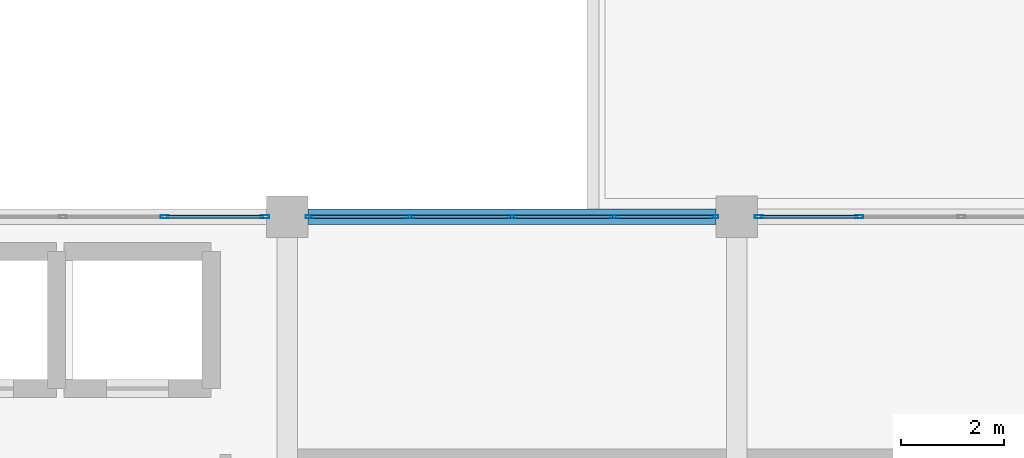
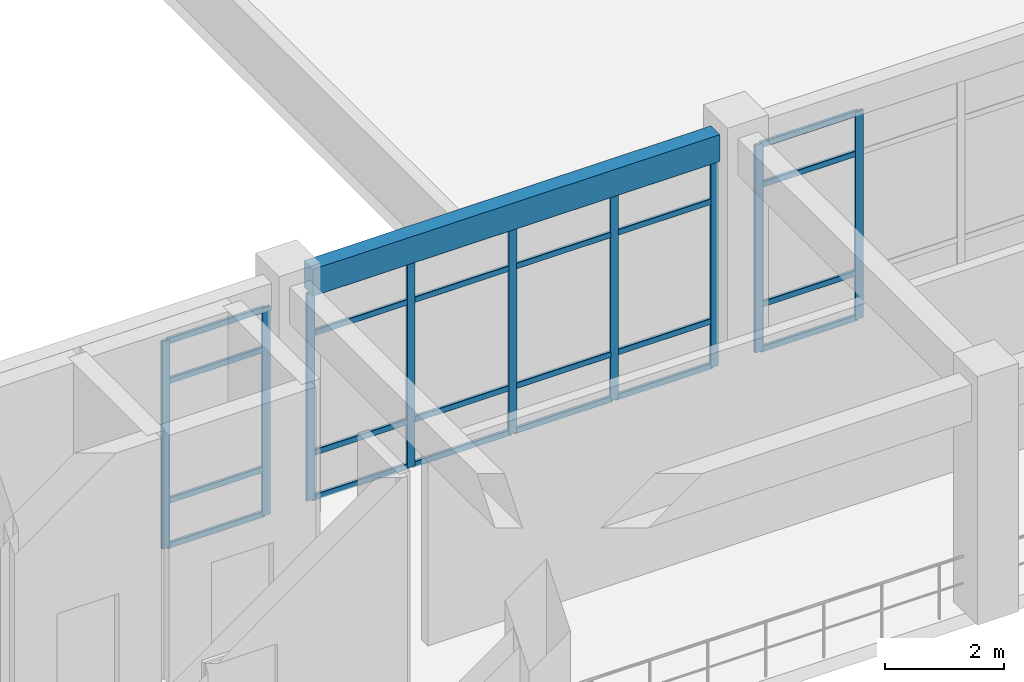
# One storey, part 49 of 124: 33 members, 1 beam, 3 elements without a shape of their own.
"""IFC4 building model written with IfcOpenShell, lengths in metres."""

from ifc_helpers import new_model, si_unit, derived_unit, direction, frame, origin, origin_2d, place, context, subcontext, project, spatial, rectangle, hollow_rectangle, extrude, material, layer, layer_set, material_profile, profile_set, type_object, element, aggregate, save


model = new_model("IFC4")

# Units and contexts
model_context = context("Model", 3, precision=1e-05, world=origin(), true_north=direction((0.0, 1.0)))
body_context = subcontext(model_context, "Body", "Model", "MODEL_VIEW")
ifc_project = project(units=[si_unit("LENGTHUNIT", "METRE"), si_unit("AREAUNIT", "SQUARE_METRE"), si_unit("VOLUMEUNIT", "CUBIC_METRE"), si_unit("PLANEANGLEUNIT", "RADIAN"), si_unit("MASSUNIT", "GRAM", prefix="KILO"), derived_unit("THERMALTRANSMITTANCEUNIT", [(si_unit("MASSUNIT", "GRAM", prefix="KILO"), 1), (si_unit("TIMEUNIT", "SECOND"), -3), (si_unit("THERMODYNAMICTEMPERATUREUNIT", "KELVIN"), -1)])], contexts=[model_context])

# Site, building, storey
site_placement = place(None, origin())
site = spatial("IfcSite", under=ifc_project, at=site_placement, CompositionType="ELEMENT")
building_placement = place(site_placement, origin())
building = spatial("IfcBuilding", under=site, at=building_placement, Name="Qinzheling Arcade Emporium", CompositionType="ELEMENT")
storey_placement = place(building_placement, frame((0.0, 0.0, 16.5)))
storey = spatial("IfcBuildingStorey", under=building, at=storey_placement, Name="L04", CompositionType="ELEMENT", Elevation=16.5)

# Curtain wall, members
ifc_material_1 = material(Name="Anodised aluminium and solar-control double glazing", Category="aluminium")
ifc_layer = layer(ifc_material_1, 0.159912109375, Name="Anodised aluminium and solar-control double glazing", Category="aluminium")
ifc_layer_set = layer_set([ifc_layer], Name="Anodised aluminium and solar-control double glazing")
curtain_wall_type = type_object("IfcCurtainWallType", Name="Atrium Clerestory Curtain Wall", PredefinedType="NOTDEFINED", material=ifc_layer_set)
curtain_wall_1_placement = place(storey_placement, origin())
curtain_wall_1 = element("IfcCurtainWall", 1, at=curtain_wall_1_placement, inside=storey, type_object=curtain_wall_type, Name="Curtain Wall CW-L04-243", PredefinedType="NOTDEFINED")
ifc_material_2 = material(Name="Anodised aluminium 6063-T6", Category="aluminium")
ifc_material_profile_1 = material_profile(ifc_material_2, hollow_rectangle(XDim=0.06005859375, YDim=0.159912109375, WallThickness=0.00390625, InnerFilletRadius=0.00390625, OuterFilletRadius=0.008056640625, at=origin_2d()), Name="RHS 160x60x4", Category="aluminium")
ifc_profile_set_1 = profile_set([ifc_material_profile_1], Name="Anodised aluminium 6063-T6")
member_type_1 = type_object("IfcMemberType", Name="Curtain Wall Mullion RHS160x60", PredefinedType="MULLION", material=ifc_profile_set_1)
member_1_placement = place(storey_placement, frame((49.823974609375, 73.800048828125, 0.0), z_axis=(0.0, 0.0, 1.0), x_axis=(0.0, 1.0, 0.0)))
member_1 = element("IfcMember", 2, at=member_1_placement, type_object=member_type_1, Name="CW03 mullion 4", PredefinedType="MULLION", context=body_context, shape_type="SweptSolid", body=[
    extrude(hollow_rectangle(XDim=0.06005859375, YDim=0.159912109375, WallThickness=0.00390625, InnerFilletRadius=0.00390625, OuterFilletRadius=0.008056640625, at=origin_2d()), origin(), (0.0, 0.0, 1.0), 4.2548828125),
])
member_2_placement = place(storey_placement, frame((51.76806640625, 73.800048828125, 0.0), z_axis=(0.0, 0.0, 1.0), x_axis=(0.0, 1.0, 0.0)))
member_2 = element("IfcMember", 3, at=member_2_placement, type_object=member_type_1, Name="CW03 mullion 5", PredefinedType="MULLION", context=body_context, shape_type="SweptSolid", body=[
    extrude(hollow_rectangle(XDim=0.06005859375, YDim=0.159912109375, WallThickness=0.00390625, InnerFilletRadius=0.00390625, OuterFilletRadius=0.008056640625, at=origin_2d()), origin(), (0.0, 0.0, 1.0), 4.2548828125),
])

curtain_wall_2_placement = place(storey_placement, origin())
curtain_wall_2 = element("IfcCurtainWall", 4, at=curtain_wall_2_placement, inside=storey, type_object=curtain_wall_type, Name="Curtain Wall CW-L04-244", PredefinedType="NOTDEFINED")
member_3_placement = place(storey_placement, frame((52.632080078125, 73.800048828125, 0.0), z_axis=(0.0, 0.0, 1.0), x_axis=(0.0, 1.0, 0.0)))
member_3 = element("IfcMember", 5, at=member_3_placement, type_object=member_type_1, Name="CW03 mullion 1", PredefinedType="MULLION", context=body_context, shape_type="SweptSolid", body=[
    extrude(hollow_rectangle(XDim=0.06005859375, YDim=0.159912109375, WallThickness=0.00390625, InnerFilletRadius=0.00390625, OuterFilletRadius=0.008056640625, at=origin_2d()), origin(), (0.0, 0.0, 1.0), 4.2548828125),
])
member_4_placement = place(storey_placement, frame((54.575927734375, 73.800048828125, 0.0), z_axis=(0.0, 0.0, 1.0), x_axis=(0.0, 1.0, 0.0)))
member_4 = element("IfcMember", 6, at=member_4_placement, type_object=member_type_1, Name="CW03 mullion 2", PredefinedType="MULLION", context=body_context, shape_type="SweptSolid", body=[
    extrude(hollow_rectangle(XDim=0.06005859375, YDim=0.159912109375, WallThickness=0.00390625, InnerFilletRadius=0.00390625, OuterFilletRadius=0.008056640625, at=origin_2d()), origin(), (0.0, 0.0, 1.0), 4.2548828125),
])
member_5_placement = place(storey_placement, frame((56.550048828125, 73.800048828125, 0.0), z_axis=(0.0, 0.0, 1.0), x_axis=(0.0, 1.0, 0.0)))
member_5 = element("IfcMember", 7, at=member_5_placement, type_object=member_type_1, Name="CW03 mullion 3", PredefinedType="MULLION", context=body_context, shape_type="SweptSolid", body=[
    extrude(hollow_rectangle(XDim=0.06005859375, YDim=0.159912109375, WallThickness=0.00390625, InnerFilletRadius=0.00390625, OuterFilletRadius=0.008056640625, at=origin_2d()), origin(), (0.0, 0.0, 1.0), 4.2548828125),
])
member_6_placement = place(storey_placement, frame((58.52392578125, 73.800048828125, 0.0), z_axis=(0.0, 0.0, 1.0), x_axis=(0.0, 1.0, 0.0)))
member_6 = element("IfcMember", 8, at=member_6_placement, type_object=member_type_1, Name="CW03 mullion 4", PredefinedType="MULLION", context=body_context, shape_type="SweptSolid", body=[
    extrude(hollow_rectangle(XDim=0.06005859375, YDim=0.159912109375, WallThickness=0.00390625, InnerFilletRadius=0.00390625, OuterFilletRadius=0.008056640625, at=origin_2d()), origin(), (0.0, 0.0, 1.0), 4.2548828125),
])
member_7_placement = place(storey_placement, frame((60.468017578125, 73.800048828125, 0.0), z_axis=(0.0, 0.0, 1.0), x_axis=(0.0, 1.0, 0.0)))
member_7 = element("IfcMember", 9, at=member_7_placement, type_object=member_type_1, Name="CW03 mullion 5", PredefinedType="MULLION", context=body_context, shape_type="SweptSolid", body=[
    extrude(hollow_rectangle(XDim=0.06005859375, YDim=0.159912109375, WallThickness=0.00390625, InnerFilletRadius=0.00390625, OuterFilletRadius=0.008056640625, at=origin_2d()), origin(), (0.0, 0.0, 1.0), 4.2548828125),
])

curtain_wall_3_placement = place(storey_placement, origin())
curtain_wall_3 = element("IfcCurtainWall", 10, at=curtain_wall_3_placement, inside=storey, type_object=curtain_wall_type, Name="Curtain Wall CW-L04-245", PredefinedType="NOTDEFINED")
member_8_placement = place(storey_placement, frame((61.33203125, 73.800048828125, 0.0), z_axis=(0.0, 0.0, 1.0), x_axis=(0.0, 1.0, 0.0)))
member_8 = element("IfcMember", 11, at=member_8_placement, type_object=member_type_1, Name="CW03 mullion 1", PredefinedType="MULLION", context=body_context, shape_type="SweptSolid", body=[
    extrude(hollow_rectangle(XDim=0.06005859375, YDim=0.159912109375, WallThickness=0.00390625, InnerFilletRadius=0.00390625, OuterFilletRadius=0.008056640625, at=origin_2d()), origin(), (0.0, 0.0, 1.0), 4.2548828125),
])
member_9_placement = place(storey_placement, frame((63.27587890625, 73.800048828125, 0.0), z_axis=(0.0, 0.0, 1.0), x_axis=(0.0, 1.0, 0.0)))
member_9 = element("IfcMember", 12, at=member_9_placement, type_object=member_type_1, Name="CW03 mullion 2", PredefinedType="MULLION", context=body_context, shape_type="SweptSolid", body=[
    extrude(hollow_rectangle(XDim=0.06005859375, YDim=0.159912109375, WallThickness=0.00390625, InnerFilletRadius=0.00390625, OuterFilletRadius=0.008056640625, at=origin_2d()), origin(), (0.0, 0.0, 1.0), 4.2548828125),
])

# Member
ifc_material_profile_2 = material_profile(ifc_material_2, hollow_rectangle(XDim=0.06005859375, YDim=0.1201171875, WallThickness=0.00390625, InnerFilletRadius=0.00390625, OuterFilletRadius=0.008056640625, at=origin_2d()), Name="RHS 120x60x4", Category="aluminium")
ifc_profile_set_2 = profile_set([ifc_material_profile_2], Name="Anodised aluminium 6063-T6")
member_type_2 = type_object("IfcMemberType", Name="Curtain Wall Transom RHS120x60", PredefinedType="USERDEFINED", material=ifc_profile_set_2)
member_10_placement = place(storey_placement, frame((49.85400390625, 73.800048828125, 0.030029296875), z_axis=(1.0, 0.0, 0.0), x_axis=(0.0, 1.0, 0.0)))
member_10 = element("IfcMember", 13, at=member_10_placement, type_object=member_type_2, Name="CW03 transom 4.1", ObjectType="TRANSOM", PredefinedType="USERDEFINED", context=body_context, shape_type="SweptSolid", body=[
    extrude(hollow_rectangle(XDim=0.06005859375, YDim=0.1201171875, WallThickness=0.00390625, InnerFilletRadius=0.00390625, OuterFilletRadius=0.008056640625, at=origin_2d()), origin(), (0.0, 0.0, 1.0), 1.884033203125),
])

member_11_placement = place(storey_placement, frame((49.85400390625, 73.800048828125, 0.949951171875), z_axis=(1.0, 0.0, 0.0), x_axis=(0.0, 1.0, 0.0)))
member_11 = element("IfcMember", 14, at=member_11_placement, type_object=member_type_2, Name="CW03 transom 4.2", ObjectType="TRANSOM", PredefinedType="USERDEFINED", context=body_context, shape_type="SweptSolid", body=[
    extrude(hollow_rectangle(XDim=0.06005859375, YDim=0.1201171875, WallThickness=0.00390625, InnerFilletRadius=0.00390625, OuterFilletRadius=0.008056640625, at=origin_2d()), origin(), (0.0, 0.0, 1.0), 1.884033203125),
])

member_12_placement = place(storey_placement, frame((49.85400390625, 73.800048828125, 3.405029296875), z_axis=(1.0, 0.0, 0.0), x_axis=(0.0, 1.0, 0.0)))
member_12 = element("IfcMember", 15, at=member_12_placement, type_object=member_type_2, Name="CW03 transom 4.3", ObjectType="TRANSOM", PredefinedType="USERDEFINED", context=body_context, shape_type="SweptSolid", body=[
    extrude(hollow_rectangle(XDim=0.06005859375, YDim=0.1201171875, WallThickness=0.00390625, InnerFilletRadius=0.00390625, OuterFilletRadius=0.008056640625, at=origin_2d()), origin(), (0.0, 0.0, 1.0), 1.884033203125),
])

member_13_placement = place(storey_placement, frame((49.85400390625, 73.800048828125, 4.22509765625), z_axis=(1.0, 0.0, 0.0), x_axis=(0.0, 1.0, 0.0)))
member_13 = element("IfcMember", 16, at=member_13_placement, type_object=member_type_2, Name="CW03 transom 4.4", ObjectType="TRANSOM", PredefinedType="USERDEFINED", context=body_context, shape_type="SweptSolid", body=[
    extrude(hollow_rectangle(XDim=0.06005859375, YDim=0.1201171875, WallThickness=0.00390625, InnerFilletRadius=0.00390625, OuterFilletRadius=0.008056640625, at=origin_2d()), origin(), (0.0, 0.0, 1.0), 1.884033203125),
])

aggregate(curtain_wall_1, [member_1, member_2, member_10, member_11, member_12, member_13])

member_14_placement = place(storey_placement, frame((52.662109375, 73.800048828125, 0.030029296875), z_axis=(1.0, 0.0, 0.0), x_axis=(0.0, 1.0, 0.0)))
member_14 = element("IfcMember", 17, at=member_14_placement, type_object=member_type_2, Name="CW03 transom 1.1", ObjectType="TRANSOM", PredefinedType="USERDEFINED", context=body_context, shape_type="SweptSolid", body=[
    extrude(hollow_rectangle(XDim=0.06005859375, YDim=0.1201171875, WallThickness=0.00390625, InnerFilletRadius=0.00390625, OuterFilletRadius=0.008056640625, at=origin_2d()), origin(), (0.0, 0.0, 1.0), 1.8837890625),
])

member_15_placement = place(storey_placement, frame((52.662109375, 73.800048828125, 0.949951171875), z_axis=(1.0, 0.0, 0.0), x_axis=(0.0, 1.0, 0.0)))
member_15 = element("IfcMember", 18, at=member_15_placement, type_object=member_type_2, Name="CW03 transom 1.2", ObjectType="TRANSOM", PredefinedType="USERDEFINED", context=body_context, shape_type="SweptSolid", body=[
    extrude(hollow_rectangle(XDim=0.06005859375, YDim=0.1201171875, WallThickness=0.00390625, InnerFilletRadius=0.00390625, OuterFilletRadius=0.008056640625, at=origin_2d()), origin(), (0.0, 0.0, 1.0), 1.8837890625),
])

member_16_placement = place(storey_placement, frame((52.662109375, 73.800048828125, 3.405029296875), z_axis=(1.0, 0.0, 0.0), x_axis=(0.0, 1.0, 0.0)))
member_16 = element("IfcMember", 19, at=member_16_placement, type_object=member_type_2, Name="CW03 transom 1.3", ObjectType="TRANSOM", PredefinedType="USERDEFINED", context=body_context, shape_type="SweptSolid", body=[
    extrude(hollow_rectangle(XDim=0.06005859375, YDim=0.1201171875, WallThickness=0.00390625, InnerFilletRadius=0.00390625, OuterFilletRadius=0.008056640625, at=origin_2d()), origin(), (0.0, 0.0, 1.0), 1.8837890625),
])

member_17_placement = place(storey_placement, frame((52.662109375, 73.800048828125, 4.22509765625), z_axis=(1.0, 0.0, 0.0), x_axis=(0.0, 1.0, 0.0)))
member_17 = element("IfcMember", 20, at=member_17_placement, type_object=member_type_2, Name="CW03 transom 1.4", ObjectType="TRANSOM", PredefinedType="USERDEFINED", context=body_context, shape_type="SweptSolid", body=[
    extrude(hollow_rectangle(XDim=0.06005859375, YDim=0.1201171875, WallThickness=0.00390625, InnerFilletRadius=0.00390625, OuterFilletRadius=0.008056640625, at=origin_2d()), origin(), (0.0, 0.0, 1.0), 1.8837890625),
])

member_18_placement = place(storey_placement, frame((54.60595703125, 73.800048828125, 0.030029296875), z_axis=(1.0, 0.0, 0.0), x_axis=(0.0, 1.0, 0.0)))
member_18 = element("IfcMember", 21, at=member_18_placement, type_object=member_type_2, Name="CW03 transom 2.1", ObjectType="TRANSOM", PredefinedType="USERDEFINED", context=body_context, shape_type="SweptSolid", body=[
    extrude(hollow_rectangle(XDim=0.06005859375, YDim=0.1201171875, WallThickness=0.00390625, InnerFilletRadius=0.00390625, OuterFilletRadius=0.008056640625, at=origin_2d()), origin(), (0.0, 0.0, 1.0), 1.9140625),
])

member_19_placement = place(storey_placement, frame((54.60595703125, 73.800048828125, 0.949951171875), z_axis=(1.0, 0.0, 0.0), x_axis=(0.0, 1.0, 0.0)))
member_19 = element("IfcMember", 22, at=member_19_placement, type_object=member_type_2, Name="CW03 transom 2.2", ObjectType="TRANSOM", PredefinedType="USERDEFINED", context=body_context, shape_type="SweptSolid", body=[
    extrude(hollow_rectangle(XDim=0.06005859375, YDim=0.1201171875, WallThickness=0.00390625, InnerFilletRadius=0.00390625, OuterFilletRadius=0.008056640625, at=origin_2d()), origin(), (0.0, 0.0, 1.0), 1.9140625),
])

member_20_placement = place(storey_placement, frame((54.60595703125, 73.800048828125, 3.405029296875), z_axis=(1.0, 0.0, 0.0), x_axis=(0.0, 1.0, 0.0)))
member_20 = element("IfcMember", 23, at=member_20_placement, type_object=member_type_2, Name="CW03 transom 2.3", ObjectType="TRANSOM", PredefinedType="USERDEFINED", context=body_context, shape_type="SweptSolid", body=[
    extrude(hollow_rectangle(XDim=0.06005859375, YDim=0.1201171875, WallThickness=0.00390625, InnerFilletRadius=0.00390625, OuterFilletRadius=0.008056640625, at=origin_2d()), origin(), (0.0, 0.0, 1.0), 1.9140625),
])

member_21_placement = place(storey_placement, frame((54.60595703125, 73.800048828125, 4.22509765625), z_axis=(1.0, 0.0, 0.0), x_axis=(0.0, 1.0, 0.0)))
member_21 = element("IfcMember", 24, at=member_21_placement, type_object=member_type_2, Name="CW03 transom 2.4", ObjectType="TRANSOM", PredefinedType="USERDEFINED", context=body_context, shape_type="SweptSolid", body=[
    extrude(hollow_rectangle(XDim=0.06005859375, YDim=0.1201171875, WallThickness=0.00390625, InnerFilletRadius=0.00390625, OuterFilletRadius=0.008056640625, at=origin_2d()), origin(), (0.0, 0.0, 1.0), 1.9140625),
])

member_22_placement = place(storey_placement, frame((56.580078125, 73.800048828125, 0.030029296875), z_axis=(1.0, 0.0, 0.0), x_axis=(0.0, 1.0, 0.0)))
member_22 = element("IfcMember", 25, at=member_22_placement, type_object=member_type_2, Name="CW03 transom 3.1", ObjectType="TRANSOM", PredefinedType="USERDEFINED", context=body_context, shape_type="SweptSolid", body=[
    extrude(hollow_rectangle(XDim=0.06005859375, YDim=0.1201171875, WallThickness=0.00390625, InnerFilletRadius=0.00390625, OuterFilletRadius=0.008056640625, at=origin_2d()), origin(), (0.0, 0.0, 1.0), 1.913818359375),
])

member_23_placement = place(storey_placement, frame((56.580078125, 73.800048828125, 0.949951171875), z_axis=(1.0, 0.0, 0.0), x_axis=(0.0, 1.0, 0.0)))
member_23 = element("IfcMember", 26, at=member_23_placement, type_object=member_type_2, Name="CW03 transom 3.2", ObjectType="TRANSOM", PredefinedType="USERDEFINED", context=body_context, shape_type="SweptSolid", body=[
    extrude(hollow_rectangle(XDim=0.06005859375, YDim=0.1201171875, WallThickness=0.00390625, InnerFilletRadius=0.00390625, OuterFilletRadius=0.008056640625, at=origin_2d()), origin(), (0.0, 0.0, 1.0), 1.913818359375),
])

member_24_placement = place(storey_placement, frame((56.580078125, 73.800048828125, 3.405029296875), z_axis=(1.0, 0.0, 0.0), x_axis=(0.0, 1.0, 0.0)))
member_24 = element("IfcMember", 27, at=member_24_placement, type_object=member_type_2, Name="CW03 transom 3.3", ObjectType="TRANSOM", PredefinedType="USERDEFINED", context=body_context, shape_type="SweptSolid", body=[
    extrude(hollow_rectangle(XDim=0.06005859375, YDim=0.1201171875, WallThickness=0.00390625, InnerFilletRadius=0.00390625, OuterFilletRadius=0.008056640625, at=origin_2d()), origin(), (0.0, 0.0, 1.0), 1.913818359375),
])

member_25_placement = place(storey_placement, frame((56.580078125, 73.800048828125, 4.22509765625), z_axis=(1.0, 0.0, 0.0), x_axis=(0.0, 1.0, 0.0)))
member_25 = element("IfcMember", 28, at=member_25_placement, type_object=member_type_2, Name="CW03 transom 3.4", ObjectType="TRANSOM", PredefinedType="USERDEFINED", context=body_context, shape_type="SweptSolid", body=[
    extrude(hollow_rectangle(XDim=0.06005859375, YDim=0.1201171875, WallThickness=0.00390625, InnerFilletRadius=0.00390625, OuterFilletRadius=0.008056640625, at=origin_2d()), origin(), (0.0, 0.0, 1.0), 1.913818359375),
])

member_26_placement = place(storey_placement, frame((58.553955078125, 73.800048828125, 0.030029296875), z_axis=(1.0, 0.0, 0.0), x_axis=(0.0, 1.0, 0.0)))
member_26 = element("IfcMember", 29, at=member_26_placement, type_object=member_type_2, Name="CW03 transom 4.1", ObjectType="TRANSOM", PredefinedType="USERDEFINED", context=body_context, shape_type="SweptSolid", body=[
    extrude(hollow_rectangle(XDim=0.06005859375, YDim=0.1201171875, WallThickness=0.00390625, InnerFilletRadius=0.00390625, OuterFilletRadius=0.008056640625, at=origin_2d()), origin(), (0.0, 0.0, 1.0), 1.884033203125),
])

member_27_placement = place(storey_placement, frame((58.553955078125, 73.800048828125, 0.949951171875), z_axis=(1.0, 0.0, 0.0), x_axis=(0.0, 1.0, 0.0)))
member_27 = element("IfcMember", 30, at=member_27_placement, type_object=member_type_2, Name="CW03 transom 4.2", ObjectType="TRANSOM", PredefinedType="USERDEFINED", context=body_context, shape_type="SweptSolid", body=[
    extrude(hollow_rectangle(XDim=0.06005859375, YDim=0.1201171875, WallThickness=0.00390625, InnerFilletRadius=0.00390625, OuterFilletRadius=0.008056640625, at=origin_2d()), origin(), (0.0, 0.0, 1.0), 1.884033203125),
])

member_28_placement = place(storey_placement, frame((58.553955078125, 73.800048828125, 3.405029296875), z_axis=(1.0, 0.0, 0.0), x_axis=(0.0, 1.0, 0.0)))
member_28 = element("IfcMember", 31, at=member_28_placement, type_object=member_type_2, Name="CW03 transom 4.3", ObjectType="TRANSOM", PredefinedType="USERDEFINED", context=body_context, shape_type="SweptSolid", body=[
    extrude(hollow_rectangle(XDim=0.06005859375, YDim=0.1201171875, WallThickness=0.00390625, InnerFilletRadius=0.00390625, OuterFilletRadius=0.008056640625, at=origin_2d()), origin(), (0.0, 0.0, 1.0), 1.884033203125),
])

member_29_placement = place(storey_placement, frame((58.553955078125, 73.800048828125, 4.22509765625), z_axis=(1.0, 0.0, 0.0), x_axis=(0.0, 1.0, 0.0)))
member_29 = element("IfcMember", 32, at=member_29_placement, type_object=member_type_2, Name="CW03 transom 4.4", ObjectType="TRANSOM", PredefinedType="USERDEFINED", context=body_context, shape_type="SweptSolid", body=[
    extrude(hollow_rectangle(XDim=0.06005859375, YDim=0.1201171875, WallThickness=0.00390625, InnerFilletRadius=0.00390625, OuterFilletRadius=0.008056640625, at=origin_2d()), origin(), (0.0, 0.0, 1.0), 1.884033203125),
])

aggregate(curtain_wall_2, [member_3, member_4, member_5, member_6, member_7, member_14, member_15, member_16, member_17, member_18, member_19, member_20, member_21, member_22, member_23, member_24, member_25, member_26, member_27, member_28, member_29])

member_30_placement = place(storey_placement, frame((61.362060546875, 73.800048828125, 0.030029296875), z_axis=(1.0, 0.0, 0.0), x_axis=(0.0, 1.0, 0.0)))
member_30 = element("IfcMember", 33, at=member_30_placement, type_object=member_type_2, Name="CW03 transom 1.1", ObjectType="TRANSOM", PredefinedType="USERDEFINED", context=body_context, shape_type="SweptSolid", body=[
    extrude(hollow_rectangle(XDim=0.06005859375, YDim=0.1201171875, WallThickness=0.00390625, InnerFilletRadius=0.00390625, OuterFilletRadius=0.008056640625, at=origin_2d()), origin(), (0.0, 0.0, 1.0), 1.884033203125),
])

member_31_placement = place(storey_placement, frame((61.362060546875, 73.800048828125, 0.949951171875), z_axis=(1.0, 0.0, 0.0), x_axis=(0.0, 1.0, 0.0)))
member_31 = element("IfcMember", 34, at=member_31_placement, type_object=member_type_2, Name="CW03 transom 1.2", ObjectType="TRANSOM", PredefinedType="USERDEFINED", context=body_context, shape_type="SweptSolid", body=[
    extrude(hollow_rectangle(XDim=0.06005859375, YDim=0.1201171875, WallThickness=0.00390625, InnerFilletRadius=0.00390625, OuterFilletRadius=0.008056640625, at=origin_2d()), origin(), (0.0, 0.0, 1.0), 1.884033203125),
])

member_32_placement = place(storey_placement, frame((61.362060546875, 73.800048828125, 3.405029296875), z_axis=(1.0, 0.0, 0.0), x_axis=(0.0, 1.0, 0.0)))
member_32 = element("IfcMember", 35, at=member_32_placement, type_object=member_type_2, Name="CW03 transom 1.3", ObjectType="TRANSOM", PredefinedType="USERDEFINED", context=body_context, shape_type="SweptSolid", body=[
    extrude(hollow_rectangle(XDim=0.06005859375, YDim=0.1201171875, WallThickness=0.00390625, InnerFilletRadius=0.00390625, OuterFilletRadius=0.008056640625, at=origin_2d()), origin(), (0.0, 0.0, 1.0), 1.884033203125),
])

member_33_placement = place(storey_placement, frame((61.362060546875, 73.800048828125, 4.22509765625), z_axis=(1.0, 0.0, 0.0), x_axis=(0.0, 1.0, 0.0)))
member_33 = element("IfcMember", 36, at=member_33_placement, type_object=member_type_2, Name="CW03 transom 1.4", ObjectType="TRANSOM", PredefinedType="USERDEFINED", context=body_context, shape_type="SweptSolid", body=[
    extrude(hollow_rectangle(XDim=0.06005859375, YDim=0.1201171875, WallThickness=0.00390625, InnerFilletRadius=0.00390625, OuterFilletRadius=0.008056640625, at=origin_2d()), origin(), (0.0, 0.0, 1.0), 1.884033203125),
])

aggregate(curtain_wall_3, [member_8, member_9, member_30, member_31, member_32, member_33])

# Beam
ifc_material_3 = material(Name="Concrete C40", Category="concrete")
ifc_material_profile_3 = material_profile(ifc_material_3, rectangle(XDim=0.300048828125, YDim=0.550048828125, at=origin_2d()), Name="RC 300x550", Category="concrete")
ifc_profile_set_3 = profile_set([ifc_material_profile_3], Name="Concrete C40")
beam_type = type_object("IfcBeamType", Name="RC Terrace Spandrel Beam 300x550 C40", PredefinedType="SPANDREL", material=ifc_profile_set_3)
beam_placement = place(storey_placement, frame((52.60009765625, 73.800048828125, 4.544921875), z_axis=(1.0, 0.0, 0.0), x_axis=(0.0, 1.0, 0.0)))
element("IfcBeam", 37, at=beam_placement, inside=storey, type_object=beam_type, Name="Beam BM-L04-X-J-7", PredefinedType="SPANDREL", context=body_context, shape_type="SweptSolid", body=[
    extrude(rectangle(XDim=0.300048828125, YDim=0.550048828125, at=origin_2d()), origin(), (0.0, 0.0, 1.0), 7.89990234375),
])

save(model, "model.ifc")
